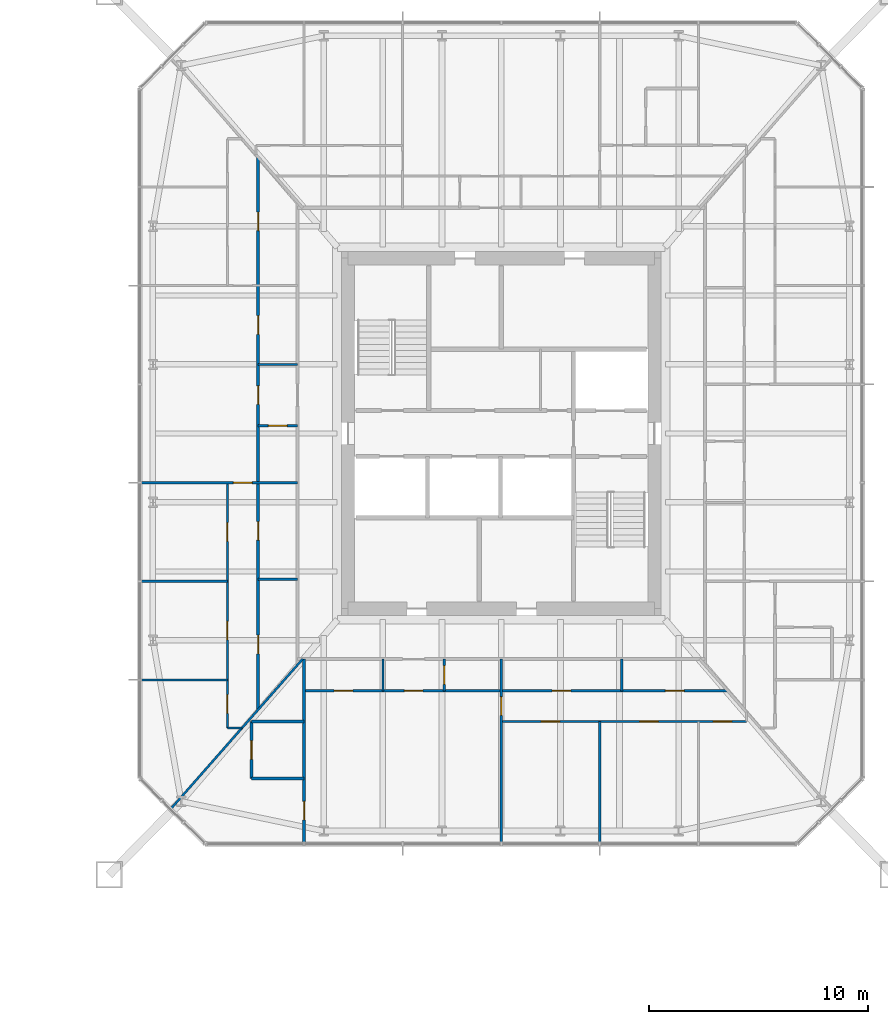
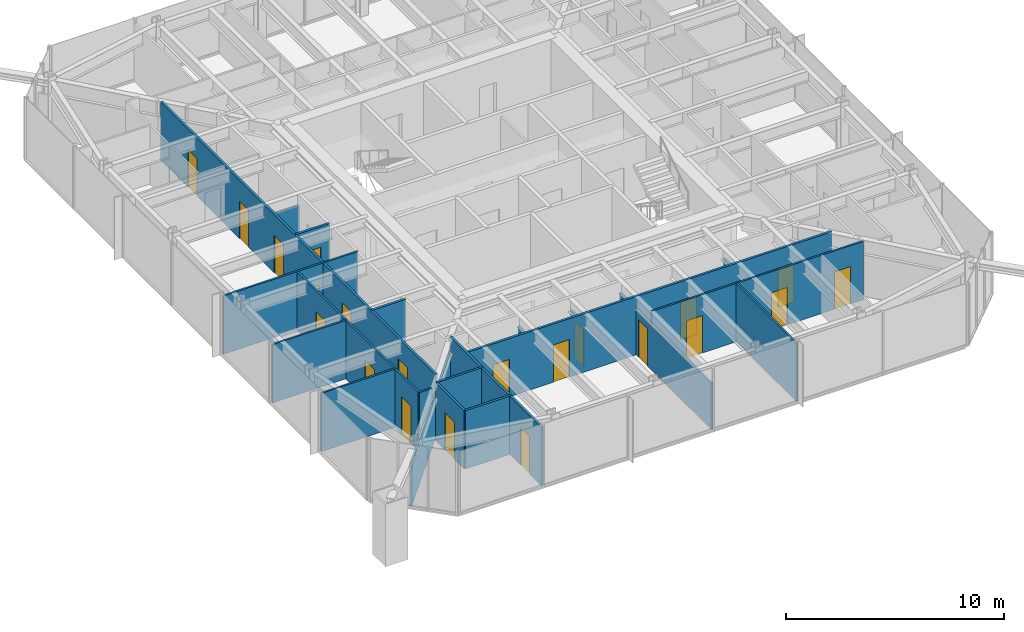
# One storey, part 18 of 26: 21 doors, 21 walls, 21 openings.
"""IFC4 building model written with IfcOpenShell, lengths in metres."""

from ifc_helpers import new_model, si_unit, direction, frame, frame_2d, origin, place, context, subcontext, project, spatial, rectangle, extrude, material, layer, layer_set, type_object, element, fill, save


model = new_model("IFC4")

# Units and contexts
model_context = context("Model", 3, precision=1e-05, world=origin(), true_north=direction((0.0, 1.0)))
body_context = subcontext(model_context, "Body", "Model", "MODEL_VIEW")
ifc_project = project(units=[si_unit("LENGTHUNIT", "METRE"), si_unit("AREAUNIT", "SQUARE_METRE"), si_unit("VOLUMEUNIT", "CUBIC_METRE"), si_unit("PLANEANGLEUNIT", "RADIAN"), si_unit("MASSUNIT", "GRAM", prefix="KILO")], contexts=[model_context])

# Site, building, storey
site_placement = place(None, origin())
site = spatial("IfcSite", under=ifc_project, at=site_placement, CompositionType="ELEMENT")
building_placement = place(site_placement, origin())
building = spatial("IfcBuilding", under=site, at=building_placement, Name="Iwan Alto Co-Living Towers", CompositionType="ELEMENT")
storey_placement = place(building_placement, frame((0.0, 0.0, 29.0)))
storey = spatial("IfcBuildingStorey", under=building, at=storey_placement, Name="L07", CompositionType="ELEMENT", Elevation=29.0)

# Wall
ifc_material_1 = material(Name="Gypsum board")
ifc_layer_1 = layer(ifc_material_1, 0.012451171875, Name="Board", Category="Finish")
ifc_material_2 = material(Name="Steel ASTM A1003 ST33H cold-formed studs", Category="steel")
ifc_layer_2 = layer(ifc_material_2, 0.074951171875, Name="Studs", Category="Framing")
ifc_layer_3 = layer(ifc_material_1, 0.012451171875, Name="Board", Category="Finish")
ifc_layer_set_1 = layer_set([ifc_layer_1, ifc_layer_2, ifc_layer_3], Name="PARTITION 100")
wall_type_1 = type_object("IfcWallType", Name="PARTITION 100", PredefinedType="PARTITIONING", material=ifc_layer_set_1)
wall_1_placement = place(storey_placement, frame((50.5, -13.449951171875, 0.0), z_axis=(0.0, 0.0, 1.0), x_axis=(1.0, 0.0, 0.0)))
element("IfcWall", 1, at=wall_1_placement, inside=storey, type_object=wall_type_1, Name="Partition L07", PredefinedType="PARTITIONING", context=body_context, shape_type="SweptSolid", body=[
    extrude(rectangle(XDim=0.6640625, YDim=0.10009765625, at=frame_2d((0.33203125, 0.0))), origin(), (0.0, 0.0, 1.0), 3.27001953125),
])

# Wall, openings, doors
wall_2_placement = place(storey_placement, frame((63.0, -13.14990234375, 0.0), z_axis=(0.0, 0.0, 1.0), x_axis=(1.0, 0.0, 0.0)))
wall_2 = element("IfcWall", 2, at=wall_2_placement, inside=storey, type_object=wall_type_1, Name="Partition L07", PredefinedType="PARTITIONING", context=body_context, shape_type="SweptSolid", body=[
    extrude(rectangle(XDim=11.199951171875, YDim=0.10009765625, at=frame_2d((5.60009765625, 0.0))), origin(), (0.0, 0.0, 1.0), 3.27001953125),
])
opening_1_placement = place(wall_2_placement, frame((1.824951171875, 0.0, 0.0)))
opening_1 = element("IfcOpeningElement", 3, at=opening_1_placement, cuts=wall_2, Name="Opening D2", PredefinedType="OPENING", context=body_context, shape_type="SweptSolid", body=[
    extrude(rectangle(XDim=0.85009765625, YDim=2.10009765625, at=frame_2d((0.425048828125, 1.050048828125))), frame((0.0, 0.06005859375, 0.0), z_axis=(0.0, -1.0, 0.0), x_axis=(1.0, 0.0, 0.0)), (0.0, 0.0, 1.0), 0.1201171875),
])
opening_2_placement = place(wall_2_placement, frame((6.324951171875, 0.0, 0.0)))
opening_2 = element("IfcOpeningElement", 4, at=opening_2_placement, cuts=wall_2, Name="Opening D2", PredefinedType="OPENING", context=body_context, shape_type="SweptSolid", body=[
    extrude(rectangle(XDim=0.85009765625, YDim=2.10009765625, at=frame_2d((0.425048828125, 1.050048828125))), frame((0.0, 0.06005859375, 0.0), z_axis=(0.0, -1.0, 0.0), x_axis=(1.0, 0.0, 0.0)), (0.0, 0.0, 1.0), 0.1201171875),
])
opening_3_placement = place(wall_2_placement, frame((9.675048828125, 0.0, 0.0)))
opening_3 = element("IfcOpeningElement", 5, at=opening_3_placement, cuts=wall_2, Name="Opening D2", PredefinedType="OPENING", context=body_context, shape_type="SweptSolid", body=[
    extrude(rectangle(XDim=0.85009765625, YDim=2.10009765625, at=frame_2d((0.425048828125, 1.050048828125))), frame((0.0, 0.06005859375, 0.0), z_axis=(0.0, -1.0, 0.0), x_axis=(1.0, 0.0, 0.0)), (0.0, 0.0, 1.0), 0.1201171875),
])
ifc_material_3 = material(Name="Timber leaf in steel frame", Category="steel")
door_type = type_object("IfcDoorType", Name="ROOM DOOR 850X2100", OperationType="SINGLE_SWING_LEFT", PredefinedType="DOOR", material=ifc_material_3)
door_1_placement = place(opening_1_placement, frame((0.85009765625, 0.0, 0.0), z_axis=(0.0, 0.0, 1.0), x_axis=(-1.0, 0.0, 0.0)))
door_1 = element("IfcDoor", 6, at=door_1_placement, inside=storey, type_object=door_type, Name="Bedroom door L07", OperationType="SINGLE_SWING_RIGHT", OverallHeight=2.10009765625, OverallWidth=0.85009765625, PredefinedType="DOOR", context=body_context, shape_type="SweptSolid", body=[
    extrude(rectangle(XDim=0.85009765625, YDim=2.10009765625, at=frame_2d((0.425048828125, 1.050048828125))), frame((0.0, 0.02490234375, 0.0), z_axis=(0.0, -1.0, 0.0), x_axis=(1.0, 0.0, 0.0)), (0.0, 0.0, 1.0), 0.050048828125),
])
fill(opening_1, door_1)
door_2_placement = place(opening_2_placement, frame((0.85009765625, 0.0, 0.0), z_axis=(0.0, 0.0, 1.0), x_axis=(-1.0, 0.0, 0.0)))
door_2 = element("IfcDoor", 7, at=door_2_placement, inside=storey, type_object=door_type, Name="Study door L07", OperationType="SINGLE_SWING_RIGHT", OverallHeight=2.10009765625, OverallWidth=0.85009765625, PredefinedType="DOOR", context=body_context, shape_type="SweptSolid", body=[
    extrude(rectangle(XDim=0.85009765625, YDim=2.10009765625, at=frame_2d((0.425048828125, 1.050048828125))), frame((0.0, 0.02490234375, 0.0), z_axis=(0.0, -1.0, 0.0), x_axis=(1.0, 0.0, 0.0)), (0.0, 0.0, 1.0), 0.050048828125),
])
fill(opening_2, door_2)
door_3_placement = place(opening_3_placement, frame((0.85009765625, 0.0, 0.0), z_axis=(0.0, 0.0, 1.0), x_axis=(-1.0, 0.0, 0.0)))
door_3 = element("IfcDoor", 8, at=door_3_placement, inside=storey, type_object=door_type, Name="Bedroom door L07", OperationType="SINGLE_SWING_RIGHT", OverallHeight=2.10009765625, OverallWidth=0.85009765625, PredefinedType="DOOR", context=body_context, shape_type="SweptSolid", body=[
    extrude(rectangle(XDim=0.85009765625, YDim=2.10009765625, at=frame_2d((0.425048828125, 1.050048828125))), frame((0.0, 0.02490234375, 0.0), z_axis=(0.0, -1.0, 0.0), x_axis=(1.0, 0.0, 0.0)), (0.0, 0.0, 1.0), 0.050048828125),
])
fill(opening_3, door_3)

# Walls
for number, where, z_axis, x_axis, name in (
    (9, (46.56005859375, -11.25, 0.0), (0.0, 0.0, 1.0), (1.0, 0.0, 0.0), "Partition L07"),
    (10, (46.56005859375, -6.75, 0.0), (0.0, 0.0, 1.0), (1.0, 0.0, 0.0), "Partition L07"),
):
    element("IfcWall", number, at=place(storey_placement, frame(where, z_axis=z_axis, x_axis=x_axis)), inside=storey, type_object=wall_type_1, Name=name, PredefinedType="PARTITIONING", context=body_context, shape_type="SweptSolid", body=[
        extrude(rectangle(XDim=3.93994140625, YDim=0.10009765625, at=frame_2d((1.969970703125, 0.0))), origin(), (0.0, 0.0, 1.0), 3.27001953125),
    ])

# Wall, opening, door
wall_3_placement = place(storey_placement, frame((46.56005859375, -2.25, 0.0), z_axis=(0.0, 0.0, 1.0), x_axis=(1.0, 0.0, 0.0)))
wall_3 = element("IfcWall", 11, at=wall_3_placement, inside=storey, type_object=wall_type_1, Name="Partition L07", PredefinedType="PARTITIONING", context=body_context, shape_type="SweptSolid", body=[
    extrude(rectangle(XDim=7.139892578125, YDim=0.10009765625, at=frame_2d((3.56982421875, 0.0))), origin(), (0.0, 0.0, 1.0), 3.27001953125),
])
opening_4_placement = place(wall_3_placement, frame((4.215087890625, 0.0, 0.0)))
opening_4 = element("IfcOpeningElement", 12, at=opening_4_placement, cuts=wall_3, Name="Opening D2", PredefinedType="OPENING", context=body_context, shape_type="SweptSolid", body=[
    extrude(rectangle(XDim=0.85009765625, YDim=2.10009765625, at=frame_2d((0.425048828125, 1.050048828125))), frame((0.0, 0.06005859375, 0.0), z_axis=(0.0, -1.0, 0.0), x_axis=(1.0, 0.0, 0.0)), (0.0, 0.0, 1.0), 0.1201171875),
])
door_4_placement = place(opening_4_placement, origin())
door_4 = element("IfcDoor", 13, at=door_4_placement, inside=storey, type_object=door_type, Name="Apartment hall door L07", OperationType="SINGLE_SWING_RIGHT", OverallHeight=2.10009765625, OverallWidth=0.85009765625, PredefinedType="DOOR", context=body_context, shape_type="SweptSolid", body=[
    extrude(rectangle(XDim=0.85009765625, YDim=2.10009765625, at=frame_2d((0.425048828125, 1.050048828125))), frame((0.0, 0.02490234375, 0.0), z_axis=(0.0, -1.0, 0.0), x_axis=(1.0, 0.0, 0.0)), (0.0, 0.0, 1.0), 0.050048828125),
])
fill(opening_4, door_4)

# Walls
wall_4_placement = place(storey_placement, frame((51.89990234375, 3.14990234375, 0.0), z_axis=(0.0, 0.0, 1.0), x_axis=(1.0, 0.0, 0.0)))
element("IfcWall", 14, at=wall_4_placement, inside=storey, type_object=wall_type_1, Name="Partition L07", PredefinedType="PARTITIONING", context=body_context, shape_type="SweptSolid", body=[
    extrude(rectangle(XDim=1.800048828125, YDim=0.10009765625, at=frame_2d((0.89990234375, 0.0))), origin(), (0.0, 0.0, 1.0), 2.586669921875),
])
wall_5_placement = place(storey_placement, frame((47.944091796875, -17.10888671875, 0.0), z_axis=(0.0, 0.0, 1.0), x_axis=(0.660638210404, 0.750704439146, 0.0)))
element("IfcWall", 15, at=wall_5_placement, inside=storey, type_object=wall_type_1, Name="Partition L07", PredefinedType="PARTITIONING", context=body_context, shape_type="SweptSolid", body=[
    extrude(rectangle(XDim=9.06982421875, YDim=0.10009765625, at=frame_2d((4.534912109375, 0.0))), origin(), (0.0, 0.0, 1.0), 2.42919921875),
])
wall_6_placement = place(storey_placement, frame((67.5, -18.68994140625, 0.0), z_axis=(0.0, 0.0, 1.0), x_axis=(0.0, 1.0, 0.0)))
element("IfcWall", 16, at=wall_6_placement, inside=storey, type_object=wall_type_1, Name="Partition L07", PredefinedType="PARTITIONING", context=body_context, shape_type="SweptSolid", body=[
    extrude(rectangle(XDim=5.5400390625, YDim=0.10009765625, at=frame_2d((2.77001953125, 0.0))), origin(), (0.0, 0.0, 1.0), 3.27001953125),
])

# Wall, opening, door
wall_7_placement = place(storey_placement, frame((63.0, -18.68994140625, 0.0), z_axis=(0.0, 0.0, 1.0), x_axis=(0.0, 1.0, 0.0)))
wall_7 = element("IfcWall", 17, at=wall_7_placement, inside=storey, type_object=wall_type_1, Name="Partition L07", PredefinedType="PARTITIONING", context=body_context, shape_type="SweptSolid", body=[
    extrude(rectangle(XDim=8.389892578125, YDim=0.10009765625, at=frame_2d((4.19482421875, 0.0))), origin(), (0.0, 0.0, 1.0), 2.586669921875),
])
opening_5_placement = place(wall_7_placement, frame((5.81494140625, 0.0, 0.0)))
opening_5 = element("IfcOpeningElement", 18, at=opening_5_placement, cuts=wall_7, Name="Opening D2", PredefinedType="OPENING", context=body_context, shape_type="SweptSolid", body=[
    extrude(rectangle(XDim=0.85009765625, YDim=2.10009765625, at=frame_2d((0.425048828125, 1.050048828125))), frame((0.0, 0.06005859375, 0.0), z_axis=(0.0, -1.0, 0.0), x_axis=(1.0, 0.0, 0.0)), (0.0, 0.0, 1.0), 0.1201171875),
])
door_5_placement = place(opening_5_placement, origin())
door_5 = element("IfcDoor", 19, at=door_5_placement, inside=storey, type_object=door_type, Name="Apartment hall door L07", OperationType="SINGLE_SWING_RIGHT", OverallHeight=2.10009765625, OverallWidth=0.85009765625, PredefinedType="DOOR", context=body_context, shape_type="SweptSolid", body=[
    extrude(rectangle(XDim=0.85009765625, YDim=2.10009765625, at=frame_2d((0.425048828125, 1.050048828125))), frame((0.0, 0.02490234375, 0.0), z_axis=(0.0, -1.0, 0.0), x_axis=(1.0, 0.0, 0.0)), (0.0, 0.0, 1.0), 0.050048828125),
])
fill(opening_5, door_5)

# Wall
wall_8_placement = place(storey_placement, frame((57.60009765625, -11.75, 0.0), z_axis=(0.0, 0.0, 1.0), x_axis=(0.0, 1.0, 0.0)))
element("IfcWall", 20, at=wall_8_placement, inside=storey, type_object=wall_type_1, Name="Partition L07", PredefinedType="PARTITIONING", context=body_context, shape_type="SweptSolid", body=[
    extrude(rectangle(XDim=1.449951171875, YDim=0.10009765625, at=frame_2d((0.72509765625, 0.0))), origin(), (0.0, 0.0, 1.0), 2.586669921875),
])

# Wall, openings, doors
wall_9_placement = place(storey_placement, frame((50.5, -13.449951171875, 0.0), z_axis=(0.0, 0.0, 1.0), x_axis=(0.0, 1.0, 0.0)))
wall_9 = element("IfcWall", 21, at=wall_9_placement, inside=storey, type_object=wall_type_1, Name="Partition L07", PredefinedType="PARTITIONING", context=body_context, shape_type="SweptSolid", body=[
    extrude(rectangle(XDim=11.199951171875, YDim=0.10009765625, at=frame_2d((5.60009765625, 0.0))), origin(), (0.0, 0.0, 1.0), 3.27001953125),
])
opening_6_placement = place(wall_9_placement, frame((8.52490234375, 0.0, 0.0)))
opening_6 = element("IfcOpeningElement", 22, at=opening_6_placement, cuts=wall_9, Name="Opening D2", PredefinedType="OPENING", context=body_context, shape_type="SweptSolid", body=[
    extrude(rectangle(XDim=0.85009765625, YDim=2.10009765625, at=frame_2d((0.425048828125, 1.050048828125))), frame((0.0, 0.06005859375, 0.0), z_axis=(0.0, -1.0, 0.0), x_axis=(1.0, 0.0, 0.0)), (0.0, 0.0, 1.0), 0.1201171875),
])
opening_7_placement = place(wall_9_placement, frame((4.02490234375, 0.0, 0.0)))
opening_7 = element("IfcOpeningElement", 23, at=opening_7_placement, cuts=wall_9, Name="Opening D2", PredefinedType="OPENING", context=body_context, shape_type="SweptSolid", body=[
    extrude(rectangle(XDim=0.85009765625, YDim=2.10009765625, at=frame_2d((0.425048828125, 1.050048828125))), frame((0.0, 0.06005859375, 0.0), z_axis=(0.0, -1.0, 0.0), x_axis=(1.0, 0.0, 0.0)), (0.0, 0.0, 1.0), 0.1201171875),
])
opening_8_placement = place(wall_9_placement, frame((0.675048828125, 0.0, 0.0)))
opening_8 = element("IfcOpeningElement", 24, at=opening_8_placement, cuts=wall_9, Name="Opening D2", PredefinedType="OPENING", context=body_context, shape_type="SweptSolid", body=[
    extrude(rectangle(XDim=0.85009765625, YDim=2.10009765625, at=frame_2d((0.425048828125, 1.050048828125))), frame((0.0, 0.06005859375, 0.0), z_axis=(0.0, -1.0, 0.0), x_axis=(1.0, 0.0, 0.0)), (0.0, 0.0, 1.0), 0.1201171875),
])
door_6_placement = place(opening_6_placement, origin())
door_6 = element("IfcDoor", 25, at=door_6_placement, inside=storey, type_object=door_type, Name="Family room door L07", OperationType="SINGLE_SWING_LEFT", OverallHeight=2.10009765625, OverallWidth=0.85009765625, PredefinedType="DOOR", context=body_context, shape_type="SweptSolid", body=[
    extrude(rectangle(XDim=0.85009765625, YDim=2.10009765625, at=frame_2d((0.425048828125, 1.050048828125))), frame((0.0, 0.02490234375, 0.0), z_axis=(0.0, -1.0, 0.0), x_axis=(1.0, 0.0, 0.0)), (0.0, 0.0, 1.0), 0.050048828125),
])
fill(opening_6, door_6)
door_7_placement = place(opening_7_placement, origin())
door_7 = element("IfcDoor", 26, at=door_7_placement, inside=storey, type_object=door_type, Name="Bedroom door L07", OperationType="SINGLE_SWING_LEFT", OverallHeight=2.10009765625, OverallWidth=0.85009765625, PredefinedType="DOOR", context=body_context, shape_type="SweptSolid", body=[
    extrude(rectangle(XDim=0.85009765625, YDim=2.10009765625, at=frame_2d((0.425048828125, 1.050048828125))), frame((0.0, 0.02490234375, 0.0), z_axis=(0.0, -1.0, 0.0), x_axis=(1.0, 0.0, 0.0)), (0.0, 0.0, 1.0), 0.050048828125),
])
fill(opening_7, door_7)
door_8_placement = place(opening_8_placement, origin())
door_8 = element("IfcDoor", 27, at=door_8_placement, inside=storey, type_object=door_type, Name="Bedroom door L07", OperationType="SINGLE_SWING_RIGHT", OverallHeight=2.10009765625, OverallWidth=0.85009765625, PredefinedType="DOOR", context=body_context, shape_type="SweptSolid", body=[
    extrude(rectangle(XDim=0.85009765625, YDim=2.10009765625, at=frame_2d((0.425048828125, 1.050048828125))), frame((0.0, 0.02490234375, 0.0), z_axis=(0.0, -1.0, 0.0), x_axis=(1.0, 0.0, 0.0)), (0.0, 0.0, 1.0), 0.050048828125),
])
fill(opening_8, door_8)

# Walls
ifc_material_4 = material(Name="Cement board")
ifc_layer_4 = layer(ifc_material_4, 0.012451171875, Name="Board", Category="Finish")
ifc_layer_5 = layer(ifc_material_2, 0.094970703125, Name="Studs", Category="Framing")
ifc_layer_6 = layer(ifc_material_4, 0.012451171875, Name="Board", Category="Finish")
ifc_layer_set_2 = layer_set([ifc_layer_4, ifc_layer_5, ifc_layer_6], Name="WET AREA PARTITION 120")
wall_type_2 = type_object("IfcWallType", Name="WET AREA PARTITION 120", PredefinedType="PARTITIONING", material=ifc_layer_set_2)
for number, where, z_axis, x_axis, name in (
    (28, (51.60009765625, -15.75, 0.0), (0.0, 0.0, 1.0), (1.0, 0.0, 0.0), "Partition L07"),
    (29, (51.60009765625, -13.14990234375, 0.0), (0.0, 0.0, 1.0), (1.0, 0.0, 0.0), "Partition L07"),
):
    element("IfcWall", number, at=place(storey_placement, frame(where, z_axis=z_axis, x_axis=x_axis)), inside=storey, type_object=wall_type_2, Name=name, PredefinedType="PARTITIONING", context=body_context, shape_type="SweptSolid", body=[
        extrude(rectangle(XDim=2.39990234375, YDim=0.1201171875, at=frame_2d((1.199951171875, 0.0))), origin(), (0.0, 0.0, 1.0), 3.27001953125),
    ])

# Wall, openings, doors
wall_10_placement = place(storey_placement, frame((54.0, -11.75, 0.0), z_axis=(0.0, 0.0, 1.0), x_axis=(1.0, 0.0, 0.0)))
wall_10 = element("IfcWall", 30, at=wall_10_placement, inside=storey, type_object=wall_type_2, Name="Partition L07", PredefinedType="PARTITIONING", context=body_context, shape_type="SweptSolid", body=[
    extrude(rectangle(XDim=19.340087890625, YDim=0.1201171875, at=frame_2d((9.669921875, 0.0))), origin(), (0.0, 0.0, 1.0), 3.27001953125),
])
opening_9_placement = place(wall_10_placement, frame((1.375, 0.0, 0.0)))
opening_9 = element("IfcOpeningElement", 31, at=opening_9_placement, cuts=wall_10, Name="Opening D2", PredefinedType="OPENING", context=body_context, shape_type="SweptSolid", body=[
    extrude(rectangle(XDim=0.85009765625, YDim=2.10009765625, at=frame_2d((0.425048828125, 1.050048828125))), frame((0.0, 0.070068359375, 0.0), z_axis=(0.0, -1.0, 0.0), x_axis=(1.0, 0.0, 0.0)), (0.0, 0.0, 1.0), 0.14013671875),
])
opening_10_placement = place(wall_10_placement, frame((4.574951171875, 0.0, 0.0)))
opening_10 = element("IfcOpeningElement", 32, at=opening_10_placement, cuts=wall_10, Name="Opening D2", PredefinedType="OPENING", context=body_context, shape_type="SweptSolid", body=[
    extrude(rectangle(XDim=0.85009765625, YDim=2.10009765625, at=frame_2d((0.425048828125, 1.050048828125))), frame((0.0, 0.070068359375, 0.0), z_axis=(0.0, -1.0, 0.0), x_axis=(1.0, 0.0, 0.0)), (0.0, 0.0, 1.0), 0.14013671875),
])
opening_11_placement = place(wall_10_placement, frame((11.324951171875, 0.0, 0.0)))
opening_11 = element("IfcOpeningElement", 33, at=opening_11_placement, cuts=wall_10, Name="Opening D2", PredefinedType="OPENING", context=body_context, shape_type="SweptSolid", body=[
    extrude(rectangle(XDim=0.85009765625, YDim=2.10009765625, at=frame_2d((0.425048828125, 1.050048828125))), frame((0.0, 0.070068359375, 0.0), z_axis=(0.0, -1.0, 0.0), x_axis=(1.0, 0.0, 0.0)), (0.0, 0.0, 1.0), 0.14013671875),
])
opening_12_placement = place(wall_10_placement, frame((16.4951171875, 0.0, 0.0)))
opening_12 = element("IfcOpeningElement", 34, at=opening_12_placement, cuts=wall_10, Name="Opening D2", PredefinedType="OPENING", context=body_context, shape_type="SweptSolid", body=[
    extrude(rectangle(XDim=0.85009765625, YDim=2.10009765625, at=frame_2d((0.425048828125, 1.050048828125))), frame((0.0, 0.070068359375, 0.0), z_axis=(0.0, -1.0, 0.0), x_axis=(1.0, 0.0, 0.0)), (0.0, 0.0, 1.0), 0.14013671875),
])
door_9_placement = place(opening_9_placement, frame((0.85009765625, 0.0, 0.0), z_axis=(0.0, 0.0, 1.0), x_axis=(-1.0, 0.0, 0.0)))
door_9 = element("IfcDoor", 35, at=door_9_placement, inside=storey, type_object=door_type, Name="Kitchen door L07", OperationType="SINGLE_SWING_RIGHT", OverallHeight=2.10009765625, OverallWidth=0.85009765625, PredefinedType="DOOR", context=body_context, shape_type="SweptSolid", body=[
    extrude(rectangle(XDim=0.85009765625, YDim=2.10009765625, at=frame_2d((0.425048828125, 1.050048828125))), frame((0.0, 0.02490234375, 0.0), z_axis=(0.0, -1.0, 0.0), x_axis=(1.0, 0.0, 0.0)), (0.0, 0.0, 1.0), 0.050048828125),
])
fill(opening_9, door_9)
door_10_placement = place(opening_10_placement, frame((0.85009765625, 0.0, 0.0), z_axis=(0.0, 0.0, 1.0), x_axis=(-1.0, 0.0, 0.0)))
door_10 = element("IfcDoor", 36, at=door_10_placement, inside=storey, type_object=door_type, Name="Apartment foyer door L07", OperationType="SINGLE_SWING_LEFT", OverallHeight=2.10009765625, OverallWidth=0.85009765625, PredefinedType="DOOR", context=body_context, shape_type="SweptSolid", body=[
    extrude(rectangle(XDim=0.85009765625, YDim=2.10009765625, at=frame_2d((0.425048828125, 1.050048828125))), frame((0.0, 0.02490234375, 0.0), z_axis=(0.0, -1.0, 0.0), x_axis=(1.0, 0.0, 0.0)), (0.0, 0.0, 1.0), 0.050048828125),
])
fill(opening_10, door_10)
door_11_placement = place(opening_11_placement, origin())
door_11 = element("IfcDoor", 37, at=door_11_placement, inside=storey, type_object=door_type, Name="Utility room door L07", OperationType="SINGLE_SWING_LEFT", OverallHeight=2.10009765625, OverallWidth=0.85009765625, PredefinedType="DOOR", context=body_context, shape_type="SweptSolid", body=[
    extrude(rectangle(XDim=0.85009765625, YDim=2.10009765625, at=frame_2d((0.425048828125, 1.050048828125))), frame((0.0, 0.02490234375, 0.0), z_axis=(0.0, -1.0, 0.0), x_axis=(1.0, 0.0, 0.0)), (0.0, 0.0, 1.0), 0.050048828125),
])
fill(opening_11, door_11)
door_12_placement = place(opening_12_placement, origin())
door_12 = element("IfcDoor", 38, at=door_12_placement, inside=storey, type_object=door_type, Name="Store room door L07", OperationType="SINGLE_SWING_RIGHT", OverallHeight=2.10009765625, OverallWidth=0.85009765625, PredefinedType="DOOR", context=body_context, shape_type="SweptSolid", body=[
    extrude(rectangle(XDim=0.85009765625, YDim=2.10009765625, at=frame_2d((0.425048828125, 1.050048828125))), frame((0.0, 0.02490234375, 0.0), z_axis=(0.0, -1.0, 0.0), x_axis=(1.0, 0.0, 0.0)), (0.0, 0.0, 1.0), 0.050048828125),
])
fill(opening_12, door_12)

# Wall
wall_11_placement = place(storey_placement, frame((51.89990234375, -6.64990234375, 0.0), z_axis=(0.0, 0.0, 1.0), x_axis=(1.0, 0.0, 0.0)))
element("IfcWall", 39, at=wall_11_placement, inside=storey, type_object=wall_type_2, Name="Partition L07", PredefinedType="PARTITIONING", context=body_context, shape_type="SweptSolid", body=[
    extrude(rectangle(XDim=1.800048828125, YDim=0.1201171875, at=frame_2d((0.89990234375, 0.0))), origin(), (0.0, 0.0, 1.0), 3.27001953125),
])

# Wall, opening, door
wall_12_placement = place(storey_placement, frame((51.89990234375, 0.35009765625, 0.0), z_axis=(0.0, 0.0, 1.0), x_axis=(1.0, 0.0, 0.0)))
wall_12 = element("IfcWall", 40, at=wall_12_placement, inside=storey, type_object=wall_type_2, Name="Partition L07", PredefinedType="PARTITIONING", context=body_context, shape_type="SweptSolid", body=[
    extrude(rectangle(XDim=1.800048828125, YDim=0.1201171875, at=frame_2d((0.89990234375, 0.0))), origin(), (0.0, 0.0, 1.0), 3.27001953125),
])
opening_13_placement = place(wall_12_placement, frame((0.47509765625, 0.0, 0.0)))
opening_13 = element("IfcOpeningElement", 41, at=opening_13_placement, cuts=wall_12, Name="Opening D2", PredefinedType="OPENING", context=body_context, shape_type="SweptSolid", body=[
    extrude(rectangle(XDim=0.85009765625, YDim=2.10009765625, at=frame_2d((0.425048828125, 1.050048828125))), frame((0.0, 0.070068359375, 0.0), z_axis=(0.0, -1.0, 0.0), x_axis=(1.0, 0.0, 0.0)), (0.0, 0.0, 1.0), 0.14013671875),
])
door_13_placement = place(opening_13_placement, frame((0.85009765625, 0.0, 0.0), z_axis=(0.0, 0.0, 1.0), x_axis=(-1.0, 0.0, 0.0)))
door_13 = element("IfcDoor", 42, at=door_13_placement, inside=storey, type_object=door_type, Name="Bathroom door L07", OperationType="SINGLE_SWING_RIGHT", OverallHeight=2.10009765625, OverallWidth=0.85009765625, PredefinedType="DOOR", context=body_context, shape_type="SweptSolid", body=[
    extrude(rectangle(XDim=0.85009765625, YDim=2.10009765625, at=frame_2d((0.425048828125, 1.050048828125))), frame((0.0, 0.02490234375, 0.0), z_axis=(0.0, -1.0, 0.0), x_axis=(1.0, 0.0, 0.0)), (0.0, 0.0, 1.0), 0.050048828125),
])
fill(opening_13, door_13)

# Wall
wall_13_placement = place(storey_placement, frame((68.5, -11.75, 0.0), z_axis=(0.0, 0.0, 1.0), x_axis=(0.0, 1.0, 0.0)))
element("IfcWall", 43, at=wall_13_placement, inside=storey, type_object=wall_type_2, Name="Partition L07", PredefinedType="PARTITIONING", context=body_context, shape_type="SweptSolid", body=[
    extrude(rectangle(XDim=1.449951171875, YDim=0.1201171875, at=frame_2d((0.72509765625, 0.0))), origin(), (0.0, 0.0, 1.0), 2.586669921875),
])

# Wall, opening, door
wall_14_placement = place(storey_placement, frame((60.39990234375, -11.75, 0.0), z_axis=(0.0, 0.0, 1.0), x_axis=(0.0, 1.0, 0.0)))
wall_14 = element("IfcWall", 44, at=wall_14_placement, inside=storey, type_object=wall_type_2, Name="Partition L07", PredefinedType="PARTITIONING", context=body_context, shape_type="SweptSolid", body=[
    extrude(rectangle(XDim=1.449951171875, YDim=0.1201171875, at=frame_2d((0.72509765625, 0.0))), origin(), (0.0, 0.0, 1.0), 2.508056640625),
])
opening_14_placement = place(wall_14_placement, frame((0.300048828125, 0.0, 0.0)))
opening_14 = element("IfcOpeningElement", 45, at=opening_14_placement, cuts=wall_14, Name="Opening D2", PredefinedType="OPENING", context=body_context, shape_type="SweptSolid", body=[
    extrude(rectangle(XDim=0.85009765625, YDim=2.10009765625, at=frame_2d((0.425048828125, 1.050048828125))), frame((0.0, 0.070068359375, 0.0), z_axis=(0.0, -1.0, 0.0), x_axis=(1.0, 0.0, 0.0)), (0.0, 0.0, 1.0), 0.14013671875),
])
door_14_placement = place(opening_14_placement, frame((0.85009765625, 0.0, 0.0), z_axis=(0.0, 0.0, 1.0), x_axis=(-1.0, 0.0, 0.0)))
door_14 = element("IfcDoor", 46, at=door_14_placement, inside=storey, type_object=door_type, Name="Shower room door L07", OperationType="SINGLE_SWING_RIGHT", OverallHeight=2.10009765625, OverallWidth=0.85009765625, PredefinedType="DOOR", context=body_context, shape_type="SweptSolid", body=[
    extrude(rectangle(XDim=0.85009765625, YDim=2.10009765625, at=frame_2d((0.425048828125, 1.050048828125))), frame((0.0, 0.02490234375, 0.0), z_axis=(0.0, -1.0, 0.0), x_axis=(1.0, 0.0, 0.0)), (0.0, 0.0, 1.0), 0.050048828125),
])
fill(opening_14, door_14)

wall_15_placement = place(storey_placement, frame((54.0, -18.68994140625, 0.0), z_axis=(0.0, 0.0, 1.0), x_axis=(0.0, 1.0, 0.0)))
wall_15 = element("IfcWall", 47, at=wall_15_placement, inside=storey, type_object=wall_type_2, Name="Partition L07", PredefinedType="PARTITIONING", context=body_context, shape_type="SweptSolid", body=[
    extrude(rectangle(XDim=8.389892578125, YDim=0.1201171875, at=frame_2d((4.19482421875, 0.0))), origin(), (0.0, 0.0, 1.0), 3.27001953125),
])
opening_15_placement = place(wall_15_placement, frame((1.044921875, 0.0, 0.0)))
opening_15 = element("IfcOpeningElement", 48, at=opening_15_placement, cuts=wall_15, Name="Opening D2", PredefinedType="OPENING", context=body_context, shape_type="SweptSolid", body=[
    extrude(rectangle(XDim=0.85009765625, YDim=2.10009765625, at=frame_2d((0.425048828125, 1.050048828125))), frame((0.0, 0.070068359375, 0.0), z_axis=(0.0, -1.0, 0.0), x_axis=(1.0, 0.0, 0.0)), (0.0, 0.0, 1.0), 0.14013671875),
])
door_15_placement = place(opening_15_placement, frame((0.85009765625, 0.0, 0.0), z_axis=(0.0, 0.0, 1.0), x_axis=(-1.0, 0.0, 0.0)))
door_15 = element("IfcDoor", 49, at=door_15_placement, inside=storey, type_object=door_type, Name="Bedroom door L07", OperationType="SINGLE_SWING_RIGHT", OverallHeight=2.10009765625, OverallWidth=0.85009765625, PredefinedType="DOOR", context=body_context, shape_type="SweptSolid", body=[
    extrude(rectangle(XDim=0.85009765625, YDim=2.10009765625, at=frame_2d((0.425048828125, 1.050048828125))), frame((0.0, 0.02490234375, 0.0), z_axis=(0.0, -1.0, 0.0), x_axis=(1.0, 0.0, 0.0)), (0.0, 0.0, 1.0), 0.050048828125),
])
fill(opening_15, door_15)

# Wall, openings, doors
wall_16_placement = place(storey_placement, frame((51.89990234375, -12.614013671875, 0.0), z_axis=(0.0, 0.0, 1.0), x_axis=(0.0, 1.0, 0.0)))
wall_16 = element("IfcWall", 50, at=wall_16_placement, inside=storey, type_object=wall_type_2, Name="Partition L07", PredefinedType="PARTITIONING", context=body_context, shape_type="SweptSolid", body=[
    extrude(rectangle(XDim=25.22802734375, YDim=0.1201171875, at=frame_2d((12.614013671875, 0.0))), origin(), (0.0, 0.0, 1.0), 3.27001953125),
])
opening_16_placement = place(wall_16_placement, frame((17.138916015625, 0.0, 0.0)))
opening_16 = element("IfcOpeningElement", 51, at=opening_16_placement, cuts=wall_16, Name="Opening D2", PredefinedType="OPENING", context=body_context, shape_type="SweptSolid", body=[
    extrude(rectangle(XDim=0.85009765625, YDim=2.10009765625, at=frame_2d((0.425048828125, 1.050048828125))), frame((0.0, 0.070068359375, 0.0), z_axis=(0.0, -1.0, 0.0), x_axis=(1.0, 0.0, 0.0)), (0.0, 0.0, 1.0), 0.14013671875),
])
opening_17_placement = place(wall_16_placement, frame((13.93896484375, 0.0, 0.0)))
opening_17 = element("IfcOpeningElement", 52, at=opening_17_placement, cuts=wall_16, Name="Opening D2", PredefinedType="OPENING", context=body_context, shape_type="SweptSolid", body=[
    extrude(rectangle(XDim=0.85009765625, YDim=2.10009765625, at=frame_2d((0.425048828125, 1.050048828125))), frame((0.0, 0.070068359375, 0.0), z_axis=(0.0, -1.0, 0.0), x_axis=(1.0, 0.0, 0.0)), (0.0, 0.0, 1.0), 0.14013671875),
])
opening_18_placement = place(wall_16_placement, frame((21.87109375, 0.0, 0.0)))
opening_18 = element("IfcOpeningElement", 53, at=opening_18_placement, cuts=wall_16, Name="Opening D2", PredefinedType="OPENING", context=body_context, shape_type="SweptSolid", body=[
    extrude(rectangle(XDim=0.85009765625, YDim=2.10009765625, at=frame_2d((0.425048828125, 1.050048828125))), frame((0.0, 0.070068359375, 0.0), z_axis=(0.0, -1.0, 0.0), x_axis=(1.0, 0.0, 0.0)), (0.0, 0.0, 1.0), 0.14013671875),
])
opening_19_placement = place(wall_16_placement, frame((7.739013671875, 0.0, 0.0)))
opening_19 = element("IfcOpeningElement", 54, at=opening_19_placement, cuts=wall_16, Name="Opening D2", PredefinedType="OPENING", context=body_context, shape_type="SweptSolid", body=[
    extrude(rectangle(XDim=0.85009765625, YDim=2.10009765625, at=frame_2d((0.425048828125, 1.050048828125))), frame((0.0, 0.070068359375, 0.0), z_axis=(0.0, -1.0, 0.0), x_axis=(1.0, 0.0, 0.0)), (0.0, 0.0, 1.0), 0.14013671875),
])
opening_20_placement = place(wall_16_placement, frame((2.556884765625, 0.0, 0.0)))
opening_20 = element("IfcOpeningElement", 55, at=opening_20_placement, cuts=wall_16, Name="Opening D2", PredefinedType="OPENING", context=body_context, shape_type="SweptSolid", body=[
    extrude(rectangle(XDim=0.85009765625, YDim=2.10009765625, at=frame_2d((0.425048828125, 1.050048828125))), frame((0.0, 0.070068359375, 0.0), z_axis=(0.0, -1.0, 0.0), x_axis=(1.0, 0.0, 0.0)), (0.0, 0.0, 1.0), 0.14013671875),
])
door_16_placement = place(opening_16_placement, origin())
door_16 = element("IfcDoor", 56, at=door_16_placement, inside=storey, type_object=door_type, Name="Kitchen door L07", OperationType="SINGLE_SWING_RIGHT", OverallHeight=2.10009765625, OverallWidth=0.85009765625, PredefinedType="DOOR", context=body_context, shape_type="SweptSolid", body=[
    extrude(rectangle(XDim=0.85009765625, YDim=2.10009765625, at=frame_2d((0.425048828125, 1.050048828125))), frame((0.0, 0.02490234375, 0.0), z_axis=(0.0, -1.0, 0.0), x_axis=(1.0, 0.0, 0.0)), (0.0, 0.0, 1.0), 0.050048828125),
])
fill(opening_16, door_16)
door_17_placement = place(opening_17_placement, origin())
door_17 = element("IfcDoor", 57, at=door_17_placement, inside=storey, type_object=door_type, Name="Apartment foyer door L07", OperationType="SINGLE_SWING_LEFT", OverallHeight=2.10009765625, OverallWidth=0.85009765625, PredefinedType="DOOR", context=body_context, shape_type="SweptSolid", body=[
    extrude(rectangle(XDim=0.85009765625, YDim=2.10009765625, at=frame_2d((0.425048828125, 1.050048828125))), frame((0.0, 0.02490234375, 0.0), z_axis=(0.0, -1.0, 0.0), x_axis=(1.0, 0.0, 0.0)), (0.0, 0.0, 1.0), 0.050048828125),
])
fill(opening_17, door_17)
door_18_placement = place(opening_18_placement, frame((0.85009765625, 0.0, 0.0), z_axis=(0.0, 0.0, 1.0), x_axis=(-1.0, 0.0, 0.0)))
door_18 = element("IfcDoor", 58, at=door_18_placement, inside=storey, type_object=door_type, Name="Utility room door L07", OperationType="SINGLE_SWING_LEFT", OverallHeight=2.10009765625, OverallWidth=0.85009765625, PredefinedType="DOOR", context=body_context, shape_type="SweptSolid", body=[
    extrude(rectangle(XDim=0.85009765625, YDim=2.10009765625, at=frame_2d((0.425048828125, 1.050048828125))), frame((0.0, 0.02490234375, 0.0), z_axis=(0.0, -1.0, 0.0), x_axis=(1.0, 0.0, 0.0)), (0.0, 0.0, 1.0), 0.050048828125),
])
fill(opening_18, door_18)
door_19_placement = place(opening_19_placement, frame((0.85009765625, 0.0, 0.0), z_axis=(0.0, 0.0, 1.0), x_axis=(-1.0, 0.0, 0.0)))
door_19 = element("IfcDoor", 59, at=door_19_placement, inside=storey, type_object=door_type, Name="Utility room door L07", OperationType="SINGLE_SWING_RIGHT", OverallHeight=2.10009765625, OverallWidth=0.85009765625, PredefinedType="DOOR", context=body_context, shape_type="SweptSolid", body=[
    extrude(rectangle(XDim=0.85009765625, YDim=2.10009765625, at=frame_2d((0.425048828125, 1.050048828125))), frame((0.0, 0.02490234375, 0.0), z_axis=(0.0, -1.0, 0.0), x_axis=(1.0, 0.0, 0.0)), (0.0, 0.0, 1.0), 0.050048828125),
])
fill(opening_19, door_19)
door_20_placement = place(opening_20_placement, frame((0.85009765625, 0.0, 0.0), z_axis=(0.0, 0.0, 1.0), x_axis=(-1.0, 0.0, 0.0)))
door_20 = element("IfcDoor", 60, at=door_20_placement, inside=storey, type_object=door_type, Name="Store room door L07", OperationType="SINGLE_SWING_RIGHT", OverallHeight=2.10009765625, OverallWidth=0.85009765625, PredefinedType="DOOR", context=body_context, shape_type="SweptSolid", body=[
    extrude(rectangle(XDim=0.85009765625, YDim=2.10009765625, at=frame_2d((0.425048828125, 1.050048828125))), frame((0.0, 0.02490234375, 0.0), z_axis=(0.0, -1.0, 0.0), x_axis=(1.0, 0.0, 0.0)), (0.0, 0.0, 1.0), 0.050048828125),
])
fill(opening_20, door_20)

# Wall, opening, door
wall_17_placement = place(storey_placement, frame((51.60009765625, -15.75, 0.0), z_axis=(0.0, 0.0, 1.0), x_axis=(0.0, 1.0, 0.0)))
wall_17 = element("IfcWall", 61, at=wall_17_placement, inside=storey, type_object=wall_type_2, Name="Partition L07", PredefinedType="PARTITIONING", context=body_context, shape_type="SweptSolid", body=[
    extrude(rectangle(XDim=2.60009765625, YDim=0.1201171875, at=frame_2d((1.300048828125, 0.0))), origin(), (0.0, 0.0, 1.0), 3.27001953125),
])
opening_21_placement = place(wall_17_placement, frame((0.875, 0.0, 0.0)))
opening_21 = element("IfcOpeningElement", 62, at=opening_21_placement, cuts=wall_17, Name="Opening D2", PredefinedType="OPENING", context=body_context, shape_type="SweptSolid", body=[
    extrude(rectangle(XDim=0.85009765625, YDim=2.10009765625, at=frame_2d((0.425048828125, 1.050048828125))), frame((0.0, 0.070068359375, 0.0), z_axis=(0.0, -1.0, 0.0), x_axis=(1.0, 0.0, 0.0)), (0.0, 0.0, 1.0), 0.14013671875),
])
door_21_placement = place(opening_21_placement, origin())
door_21 = element("IfcDoor", 63, at=door_21_placement, inside=storey, type_object=door_type, Name="En-suite shower room door L07", OperationType="SINGLE_SWING_RIGHT", OverallHeight=2.10009765625, OverallWidth=0.85009765625, PredefinedType="DOOR", context=body_context, shape_type="SweptSolid", body=[
    extrude(rectangle(XDim=0.85009765625, YDim=2.10009765625, at=frame_2d((0.425048828125, 1.050048828125))), frame((0.0, 0.02490234375, 0.0), z_axis=(0.0, -1.0, 0.0), x_axis=(1.0, 0.0, 0.0)), (0.0, 0.0, 1.0), 0.050048828125),
])
fill(opening_21, door_21)

save(model, "model.ifc")
